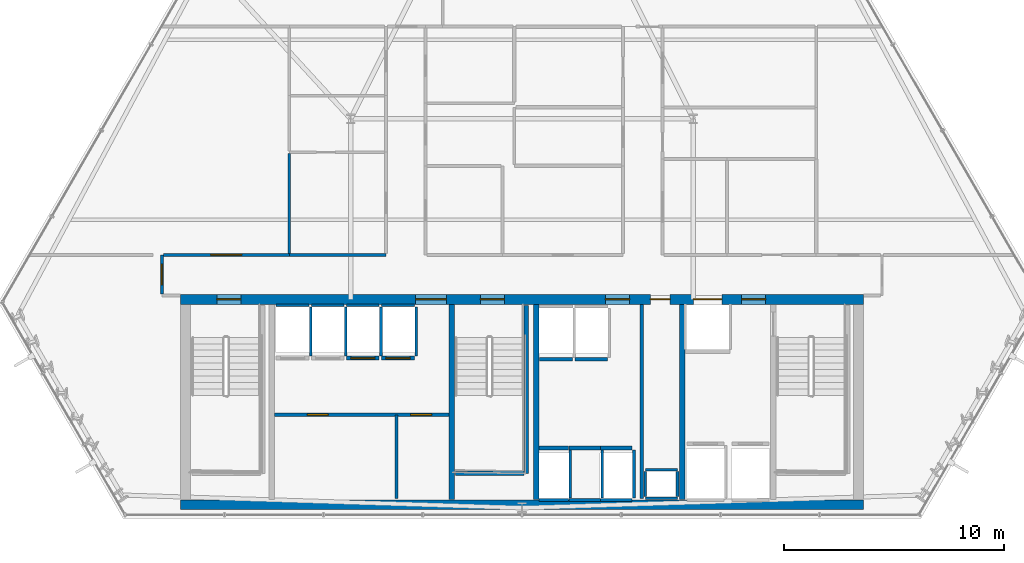
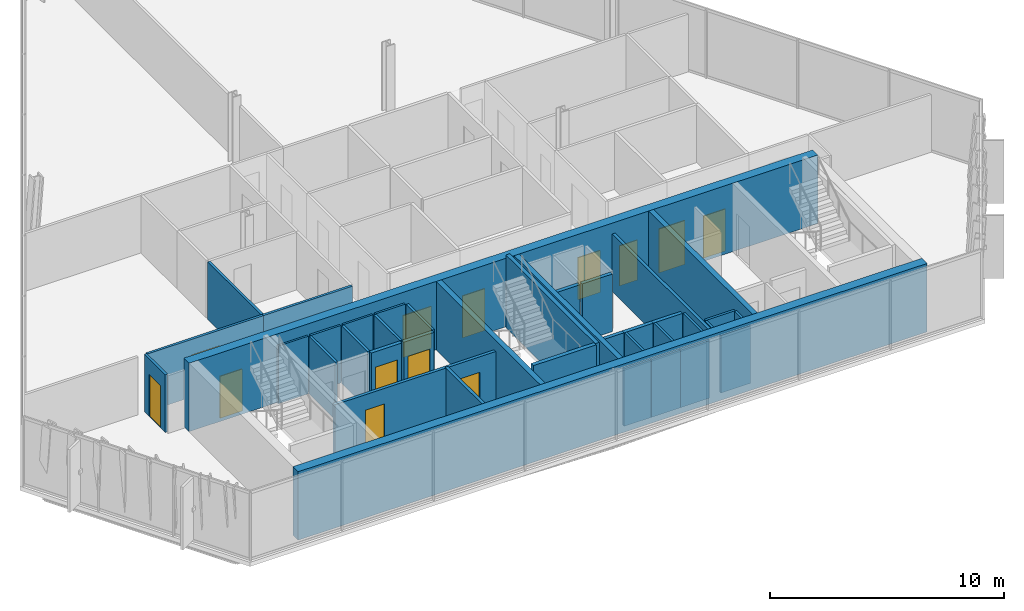
# One storey, part 26 of 32: 39 walls, 13 doors, 13 openings.
"""IFC4 building model written with IfcOpenShell, lengths in metres."""

from ifc_helpers import new_model, si_unit, direction, frame, frame_2d, origin, place, context, subcontext, project, spatial, rectangle, extrude, material, layer, layer_set, type_object, element, fill, save


model = new_model("IFC4")

# Units and contexts
model_context = context("Model", 3, precision=1e-05, world=origin(), true_north=direction((0.0, 1.0)))
body_context = subcontext(model_context, "Body", "Model", "MODEL_VIEW")
ifc_project = project(units=[si_unit("LENGTHUNIT", "METRE"), si_unit("AREAUNIT", "SQUARE_METRE"), si_unit("VOLUMEUNIT", "CUBIC_METRE"), si_unit("PLANEANGLEUNIT", "RADIAN"), si_unit("MASSUNIT", "GRAM", prefix="KILO")], contexts=[model_context])

# Site, building, storey
site_placement = place(None, origin())
site = spatial("IfcSite", under=ifc_project, at=site_placement, CompositionType="ELEMENT")
building_placement = place(site_placement, origin())
building = spatial("IfcBuilding", under=site, at=building_placement, Name="Ndaravel Arena Tower", CompositionType="ELEMENT")
storey_placement = place(building_placement, frame((0.0, 0.0, 157.39990234375)))
storey = spatial("IfcBuildingStorey", under=building, at=storey_placement, Name="L37", CompositionType="ELEMENT", Elevation=157.39990234375)

# Wall
ifc_material_1 = material(Name="Gypsum", Category="gypsum")
ifc_layer_1 = layer(ifc_material_1, 0.14990234375)
ifc_layer_set_1 = layer_set([ifc_layer_1], Name="Gypsum")
wall_type_1 = type_object("IfcWallType", Name="WALL-COMP-150", PredefinedType="PARTITIONING", material=ifc_layer_set_1)
wall_1_placement = place(storey_placement, frame((47.449951171875, 5.89990234375, 0.0), z_axis=(0.0, 0.0, 1.0), x_axis=(0.0, 1.0, 0.0)))
element("IfcWall", 1, at=wall_1_placement, inside=storey, type_object=wall_type_1, Name="L37 Core Riser Bay Partition", PredefinedType="PARTITIONING", context=body_context, shape_type="SweptSolid", body=[
    extrude(rectangle(XDim=8.85009765625, YDim=0.14990234375, at=frame_2d((4.425048828125, 0.0))), origin(), (0.0, 0.0, 1.0), 3.010498046875),
])

# Wall, openings, doors
wall_2_placement = place(storey_placement, frame((30.719970703125, 9.719970703125, 0.0), z_axis=(0.0, 0.0, 1.0), x_axis=(1.0, 0.0, 0.0)))
wall_2 = element("IfcWall", 2, at=wall_2_placement, inside=storey, type_object=wall_type_1, Name="L37 Reclaimed Shaft Partition", PredefinedType="PARTITIONING", context=body_context, shape_type="SweptSolid", body=[
    extrude(rectangle(XDim=7.9599609375, YDim=0.14990234375, at=frame_2d((3.97998046875, 0.0))), origin(), (0.0, 0.0, 1.0), 3.010498046875),
])
opening_1_placement = place(wall_2_placement, frame((1.5, 0.0, 0.0)))
opening_1 = element("IfcOpeningElement", 3, at=opening_1_placement, cuts=wall_2, Name="Opening FD-03", PredefinedType="OPENING", context=body_context, shape_type="SweptSolid", body=[
    extrude(rectangle(XDim=0.949951171875, YDim=2.199951171875, at=frame_2d((0.47509765625, 1.10009765625))), frame((0.0, 0.074951171875, 0.0), z_axis=(0.0, -1.0, 0.0), x_axis=(1.0, 0.0, 0.0)), (0.0, 0.0, 1.0), 0.14990234375),
])
opening_2_placement = place(wall_2_placement, frame((6.2099609375, 0.0, 0.0)))
opening_2 = element("IfcOpeningElement", 4, at=opening_2_placement, cuts=wall_2, Name="Opening FD-03", PredefinedType="OPENING", context=body_context, shape_type="SweptSolid", body=[
    extrude(rectangle(XDim=0.949951171875, YDim=2.199951171875, at=frame_2d((0.47509765625, 1.10009765625))), frame((0.0, 0.074951171875, 0.0), z_axis=(0.0, -1.0, 0.0), x_axis=(1.0, 0.0, 0.0)), (0.0, 0.0, 1.0), 0.14990234375),
])
ifc_material_2 = material(Name="Steel S355", Category="steel")
door_type_1 = type_object("IfcDoorType", Name="DT-11-CORE-950", OperationType="SINGLE_SWING_LEFT", PredefinedType="DOOR", material=ifc_material_2)
door_1_placement = place(opening_1_placement, origin())
door_1 = element("IfcDoor", 5, at=door_1_placement, inside=storey, type_object=door_type_1, Name="L37 ICT Server Room Door", OperationType="SINGLE_SWING_LEFT", OverallHeight=2.199951171875, OverallWidth=0.949951171875, PredefinedType="DOOR", context=body_context, shape_type="SweptSolid", body=[
    extrude(rectangle(XDim=0.949951171875, YDim=2.199951171875, at=frame_2d((0.47509765625, 1.10009765625))), frame((0.0, 0.02490234375, 0.0), z_axis=(0.0, -1.0, 0.0), x_axis=(1.0, 0.0, 0.0)), (0.0, 0.0, 1.0), 0.050048828125),
])
fill(opening_1, door_1)
door_2_placement = place(opening_2_placement, origin())
door_2 = element("IfcDoor", 6, at=door_2_placement, inside=storey, type_object=door_type_1, Name="L37 Core Archive Room Door", OperationType="SINGLE_SWING_RIGHT", OverallHeight=2.199951171875, OverallWidth=0.949951171875, PredefinedType="DOOR", context=body_context, shape_type="SweptSolid", body=[
    extrude(rectangle(XDim=0.949951171875, YDim=2.199951171875, at=frame_2d((0.47509765625, 1.10009765625))), frame((0.0, 0.02490234375, 0.0), z_axis=(0.0, -1.0, 0.0), x_axis=(1.0, 0.0, 0.0)), (0.0, 0.0, 1.0), 0.050048828125),
])
fill(opening_2, door_2)

# Walls
wall_3_placement = place(storey_placement, frame((36.280029296875, 5.89990234375, 0.0), z_axis=(0.0, 0.0, 1.0), x_axis=(0.0, 1.0, 0.0)))
element("IfcWall", 7, at=wall_3_placement, inside=storey, type_object=wall_type_1, Name="L37 Reclaimed Bay Divider", PredefinedType="PARTITIONING", context=body_context, shape_type="SweptSolid", body=[
    extrude(rectangle(XDim=3.820068359375, YDim=0.14990234375, at=frame_2d((1.91015625, 0.0))), origin(), (0.0, 0.0, 1.0), 3.010498046875),
])
ifc_material_3 = material(Name="Concrete C60/75", Category="concrete")
ifc_layer_2 = layer(ifc_material_3, 0.25)
ifc_layer_set_2 = layer_set([ifc_layer_2], Name="Concrete C60/75")
wall_type_2 = type_object("IfcWallType", Name="WALL-CORE-250", PredefinedType="SOLIDWALL", material=ifc_layer_set_2)
for number, where, z_axis, x_axis, name in (
    (8, (38.800048828125, 5.85009765625, 0.0), (0.0, 0.0, 1.0), (0.0, 1.0, 0.0), "L37 Core Web Shear Wall 2"),
    (9, (42.64990234375, 5.85009765625, 0.0), (0.0, 0.0, 1.0), (0.0, 1.0, 0.0), "L37 Core Web Shear Wall 3"),
    (10, (49.300048828125, 5.85009765625, 0.0), (0.0, 0.0, 1.0), (0.0, 1.0, 0.0), "L37 Core Web Shear Wall 4"),
):
    element("IfcWall", number, at=place(storey_placement, frame(where, z_axis=z_axis, x_axis=x_axis)), inside=storey, type_object=wall_type_2, Name=name, PredefinedType="SOLIDWALL", context=body_context, shape_type="SweptSolid", body=[
        extrude(rectangle(XDim=8.89990234375, YDim=0.25, at=frame_2d((4.449951171875, 0.0))), origin(), (0.0, 0.0, 1.0), 3.580078125),
    ])

# Wall, openings, doors
ifc_material_4 = material(Name="Concrete C60/75", Category="concrete")
ifc_layer_3 = layer(ifc_material_4, 0.449951171875)
ifc_layer_set_3 = layer_set([ifc_layer_3], Name="Concrete C60/75")
wall_type_3 = type_object("IfcWallType", Name="WALL-CORE-450", PredefinedType="SOLIDWALL", material=ifc_layer_set_3)
wall_4_placement = place(storey_placement, frame((26.449951171875, 14.97509765625, 0.0), z_axis=(0.0, 0.0, 1.0), x_axis=(1.0, 0.0, 0.0)))
wall_4 = element("IfcWall", 11, at=wall_4_placement, inside=storey, type_object=wall_type_3, Name="L37 Core North Shear Wall", PredefinedType="SOLIDWALL", context=body_context, shape_type="SweptSolid", body=[
    extrude(rectangle(XDim=31.10009765625, YDim=0.449951171875, at=frame_2d((15.550048828125, 0.0))), origin(), (0.0, 0.0, 1.0), 3.580078125),
])
opening_3_placement = place(wall_4_placement, frame((1.64990234375, 0.0, 0.0)))
opening_3 = element("IfcOpeningElement", 12, at=opening_3_placement, cuts=wall_4, Name="Opening FD-01", PredefinedType="OPENING", context=body_context, shape_type="SweptSolid", body=[
    extrude(rectangle(XDim=1.10009765625, YDim=2.199951171875, at=frame_2d((0.550048828125, 1.10009765625))), frame((0.0, 0.22509765625, 0.0), z_axis=(0.0, -1.0, 0.0), x_axis=(1.0, 0.0, 0.0)), (0.0, 0.0, 1.0), 0.449951171875),
])
opening_4_placement = place(wall_4_placement, frame((13.64990234375, 0.0, 0.0)))
opening_4 = element("IfcOpeningElement", 13, at=opening_4_placement, cuts=wall_4, Name="Opening FD-01", PredefinedType="OPENING", context=body_context, shape_type="SweptSolid", body=[
    extrude(rectangle(XDim=1.10009765625, YDim=2.199951171875, at=frame_2d((0.550048828125, 1.10009765625))), frame((0.0, 0.22509765625, 0.0), z_axis=(0.0, -1.0, 0.0), x_axis=(1.0, 0.0, 0.0)), (0.0, 0.0, 1.0), 0.449951171875),
])
opening_5_placement = place(wall_4_placement, frame((25.550048828125, 0.0, 0.0)))
opening_5 = element("IfcOpeningElement", 14, at=opening_5_placement, cuts=wall_4, Name="Opening FD-01", PredefinedType="OPENING", context=body_context, shape_type="SweptSolid", body=[
    extrude(rectangle(XDim=1.10009765625, YDim=2.199951171875, at=frame_2d((0.550048828125, 1.10009765625))), frame((0.0, 0.22509765625, 0.0), z_axis=(0.0, -1.0, 0.0), x_axis=(1.0, 0.0, 0.0)), (0.0, 0.0, 1.0), 0.449951171875),
])
opening_6_placement = place(wall_4_placement, frame((10.699951171875, 0.0, 0.0)))
opening_6 = element("IfcOpeningElement", 15, at=opening_6_placement, cuts=wall_4, Name="Opening ID-02", PredefinedType="OPENING", context=body_context, shape_type="SweptSolid", body=[
    extrude(rectangle(XDim=1.39990234375, YDim=2.199951171875, at=frame_2d((0.699951171875, 1.10009765625))), frame((0.0, 0.22509765625, 0.0), z_axis=(0.0, -1.0, 0.0), x_axis=(1.0, 0.0, 0.0)), (0.0, 0.0, 1.0), 0.449951171875),
])
opening_7_placement = place(wall_4_placement, frame((19.35009765625, 0.0, 0.0)))
opening_7 = element("IfcOpeningElement", 16, at=opening_7_placement, cuts=wall_4, Name="Opening FD-01", PredefinedType="OPENING", context=body_context, shape_type="SweptSolid", body=[
    extrude(rectangle(XDim=1.10009765625, YDim=2.199951171875, at=frame_2d((0.550048828125, 1.10009765625))), frame((0.0, 0.22509765625, 0.0), z_axis=(0.0, -1.0, 0.0), x_axis=(1.0, 0.0, 0.0)), (0.0, 0.0, 1.0), 0.449951171875),
])
opening_8_placement = place(wall_4_placement, frame((21.39990234375, 0.0, 0.0)))
opening_8 = element("IfcOpeningElement", 17, at=opening_8_placement, cuts=wall_4, Name="Opening RD-01", PredefinedType="OPENING", context=body_context, shape_type="SweptSolid", body=[
    extrude(rectangle(XDim=0.89990234375, YDim=2.10009765625, at=frame_2d((0.449951171875, 1.050048828125))), frame((0.0, 0.22509765625, 0.0), z_axis=(0.0, -1.0, 0.0), x_axis=(1.0, 0.0, 0.0)), (0.0, 0.0, 1.0), 0.449951171875),
])
opening_9_placement = place(wall_4_placement, frame((23.35009765625, 0.0, 0.0)))
opening_9 = element("IfcOpeningElement", 18, at=opening_9_placement, cuts=wall_4, Name="Opening LD-02", PredefinedType="OPENING", context=body_context, shape_type="SweptSolid", body=[
    extrude(rectangle(XDim=1.300048828125, YDim=2.300048828125, at=frame_2d((0.64990234375, 1.14990234375))), frame((0.0, 0.22509765625, 0.0), z_axis=(0.0, -1.0, 0.0), x_axis=(1.0, 0.0, 0.0)), (0.0, 0.0, 1.0), 0.449951171875),
])
ifc_material_5 = material(Name="Steel S355", Category="steel")
door_type_2 = type_object("IfcDoorType", Name="DT-01-STAIR-1100", OperationType="SINGLE_SWING_LEFT", PredefinedType="DOOR", material=ifc_material_5)
door_3_placement = place(opening_3_placement, origin())
door_3 = element("IfcDoor", 19, at=door_3_placement, inside=storey, type_object=door_type_2, Name="L37 Exit Stair ST-1 Door", OperationType="SINGLE_SWING_RIGHT", OverallHeight=2.199951171875, OverallWidth=1.10009765625, PredefinedType="DOOR", context=body_context, shape_type="SweptSolid", body=[
    extrude(rectangle(XDim=1.10009765625, YDim=2.199951171875, at=frame_2d((0.550048828125, 1.10009765625))), frame((0.0, 0.02490234375, 0.0), z_axis=(0.0, -1.0, 0.0), x_axis=(1.0, 0.0, 0.0)), (0.0, 0.0, 1.0), 0.050048828125),
])
fill(opening_3, door_3)
door_4_placement = place(opening_4_placement, origin())
door_4 = element("IfcDoor", 20, at=door_4_placement, inside=storey, type_object=door_type_2, Name="L37 Exit Stair ST-2 Door", OperationType="SINGLE_SWING_LEFT", OverallHeight=2.199951171875, OverallWidth=1.10009765625, PredefinedType="DOOR", context=body_context, shape_type="SweptSolid", body=[
    extrude(rectangle(XDim=1.10009765625, YDim=2.199951171875, at=frame_2d((0.550048828125, 1.10009765625))), frame((0.0, 0.02490234375, 0.0), z_axis=(0.0, -1.0, 0.0), x_axis=(1.0, 0.0, 0.0)), (0.0, 0.0, 1.0), 0.050048828125),
])
fill(opening_4, door_4)
door_5_placement = place(opening_5_placement, origin())
door_5 = element("IfcDoor", 21, at=door_5_placement, inside=storey, type_object=door_type_2, Name="L37 Firefighting Lift Lobby Door", OperationType="SINGLE_SWING_RIGHT", OverallHeight=2.199951171875, OverallWidth=1.10009765625, PredefinedType="DOOR", context=body_context, shape_type="SweptSolid", body=[
    extrude(rectangle(XDim=1.10009765625, YDim=2.199951171875, at=frame_2d((0.550048828125, 1.10009765625))), frame((0.0, 0.02490234375, 0.0), z_axis=(0.0, -1.0, 0.0), x_axis=(1.0, 0.0, 0.0)), (0.0, 0.0, 1.0), 0.050048828125),
])
fill(opening_5, door_5)
door_6_placement = place(opening_7_placement, origin())
door_6 = element("IfcDoor", 22, at=door_6_placement, inside=storey, type_object=door_type_2, Name="L37 Express Lift Lobby Entry Door", OperationType="SINGLE_SWING_LEFT", OverallHeight=2.199951171875, OverallWidth=1.10009765625, PredefinedType="DOOR", context=body_context, shape_type="SweptSolid", body=[
    extrude(rectangle(XDim=1.10009765625, YDim=2.199951171875, at=frame_2d((0.550048828125, 1.10009765625))), frame((0.0, 0.02490234375, 0.0), z_axis=(0.0, -1.0, 0.0), x_axis=(1.0, 0.0, 0.0)), (0.0, 0.0, 1.0), 0.050048828125),
])
fill(opening_7, door_6)
ifc_material_6 = material(Name="Timber", Category="wood")
door_type_3 = type_object("IfcDoorType", Name="DT-04-SUITE-1400", OperationType="DOUBLE_DOOR_SINGLE_SWING", PredefinedType="DOOR", material=ifc_material_6)
door_7_placement = place(opening_6_placement, origin())
door_7 = element("IfcDoor", 23, at=door_7_placement, inside=storey, type_object=door_type_3, Name="L37 West Lift Lobby Entry Door", OperationType="DOUBLE_DOOR_SINGLE_SWING", OverallHeight=2.199951171875, OverallWidth=1.39990234375, PredefinedType="DOOR", context=body_context, shape_type="SweptSolid", body=[
    extrude(rectangle(XDim=1.39990234375, YDim=2.199951171875, at=frame_2d((0.699951171875, 1.10009765625))), frame((0.0, 0.02490234375, 0.0), z_axis=(0.0, -1.0, 0.0), x_axis=(1.0, 0.0, 0.0)), (0.0, 0.0, 1.0), 0.050048828125),
])
fill(opening_6, door_7)
ifc_material_7 = material(Name="Steel S355", Category="steel")
door_type_4 = type_object("IfcDoorType", Name="DT-07-SVLIFT-1300", OperationType="DOUBLE_DOOR_SLIDING", PredefinedType="DOOR", material=ifc_material_7)
door_8_placement = place(opening_9_placement, origin())
door_8 = element("IfcDoor", 24, at=door_8_placement, inside=storey, type_object=door_type_4, Name="L37 Lift SVL-1 Sliding Landing Door", OperationType="DOUBLE_DOOR_SLIDING", OverallHeight=2.300048828125, OverallWidth=1.300048828125, PredefinedType="DOOR", context=body_context, shape_type="SweptSolid", body=[
    extrude(rectangle(XDim=1.300048828125, YDim=2.300048828125, at=frame_2d((0.64990234375, 1.14990234375))), frame((0.0, 0.02490234375, 0.0), z_axis=(0.0, -1.0, 0.0), x_axis=(1.0, 0.0, 0.0)), (0.0, 0.0, 1.0), 0.050048828125),
])
fill(opening_9, door_8)
ifc_material_8 = material(Name="Steel S355", Category="steel")
door_type_5 = type_object("IfcDoorType", Name="DT-08-RISER-900", OperationType="SINGLE_SWING_LEFT", PredefinedType="DOOR", material=ifc_material_8)
door_9_placement = place(opening_8_placement, origin())
door_9 = element("IfcDoor", 25, at=door_9_placement, inside=storey, type_object=door_type_5, Name="L37 Core Service Riser North Door", OperationType="SINGLE_SWING_LEFT", OverallHeight=2.10009765625, OverallWidth=0.89990234375, PredefinedType="DOOR", context=body_context, shape_type="SweptSolid", body=[
    extrude(rectangle(XDim=0.89990234375, YDim=2.10009765625, at=frame_2d((0.449951171875, 1.050048828125))), frame((0.0, 0.02490234375, 0.0), z_axis=(0.0, -1.0, 0.0), x_axis=(1.0, 0.0, 0.0)), (0.0, 0.0, 1.0), 0.050048828125),
])
fill(opening_8, door_9)

# Wall
wall_5_placement = place(storey_placement, frame((26.449951171875, 5.625, 0.0), z_axis=(0.0, 0.0, 1.0), x_axis=(1.0, 0.0, 0.0)))
element("IfcWall", 26, at=wall_5_placement, inside=storey, type_object=wall_type_3, Name="L37 Core South Shear Wall", PredefinedType="SOLIDWALL", context=body_context, shape_type="SweptSolid", body=[
    extrude(rectangle(XDim=31.10009765625, YDim=0.449951171875, at=frame_2d((15.550048828125, 0.0))), origin(), (0.0, 0.0, 1.0), 3.580078125),
])

# Wall, opening, door
ifc_material_9 = material(Name="Gypsum", Category="gypsum")
ifc_layer_4 = layer(ifc_material_9, 0.125)
ifc_layer_set_4 = layer_set([ifc_layer_4], Name="Gypsum")
wall_type_4 = type_object("IfcWallType", Name="WALL-PART-125", PredefinedType="PARTITIONING", material=ifc_layer_set_4)
wall_6_placement = place(storey_placement, frame((25.60009765625, 15.215087890625, 0.0), z_axis=(0.0, 0.0, 1.0), x_axis=(0.0, 1.0, 0.0)))
wall_6 = element("IfcWall", 27, at=wall_6_placement, inside=storey, type_object=wall_type_4, Name="L37 Interior Partition 004", PredefinedType="PARTITIONING", context=body_context, shape_type="SweptSolid", body=[
    extrude(rectangle(XDim=1.784912109375, YDim=0.125, at=frame_2d((0.892578125, 0.0))), origin(), (0.0, 0.0, 1.0), 3.010498046875),
])
opening_10_placement = place(wall_6_placement, frame((0.41748046875, 0.0, 0.0)))
opening_10 = element("IfcOpeningElement", 28, at=opening_10_placement, cuts=wall_6, Name="Opening ID-01", PredefinedType="OPENING", context=body_context, shape_type="SweptSolid", body=[
    extrude(rectangle(XDim=0.949951171875, YDim=2.199951171875, at=frame_2d((0.47509765625, 1.10009765625))), frame((0.0, 0.0625, 0.0), z_axis=(0.0, -1.0, 0.0), x_axis=(1.0, 0.0, 0.0)), (0.0, 0.0, 1.0), 0.125),
])
ifc_material_10 = material(Name="Timber", Category="wood")
door_type_6 = type_object("IfcDoorType", Name="DT-03-OFFICE-950", OperationType="SINGLE_SWING_LEFT", PredefinedType="DOOR", material=ifc_material_10)
door_10_placement = place(opening_10_placement, origin())
door_10 = element("IfcDoor", 29, at=door_10_placement, inside=storey, type_object=door_type_6, Name="L37 Executive Boardroom Door", OperationType="SINGLE_SWING_RIGHT", OverallHeight=2.199951171875, OverallWidth=0.949951171875, PredefinedType="DOOR", context=body_context, shape_type="SweptSolid", body=[
    extrude(rectangle(XDim=0.949951171875, YDim=2.199951171875, at=frame_2d((0.47509765625, 1.10009765625))), frame((0.0, 0.02490234375, 0.0), z_axis=(0.0, -1.0, 0.0), x_axis=(1.0, 0.0, 0.0)), (0.0, 0.0, 1.0), 0.050048828125),
])
fill(opening_10, door_10)

wall_7_placement = place(storey_placement, frame((25.6650390625, 17.0, 0.0), z_axis=(0.0, 0.0, 1.0), x_axis=(1.0, 0.0, 0.0)))
wall_7 = element("IfcWall", 30, at=wall_7_placement, inside=storey, type_object=wall_type_4, Name="L37 Interior Partition 005", PredefinedType="PARTITIONING", context=body_context, shape_type="SweptSolid", body=[
    extrude(rectangle(XDim=5.73486328125, YDim=0.125, at=frame_2d((2.867431640625, 0.0))), origin(), (0.0, 0.0, 1.0), 3.010498046875),
])
opening_11_placement = place(wall_7_placement, frame((2.16748046875, 0.0, 0.0)))
opening_11 = element("IfcOpeningElement", 31, at=opening_11_placement, cuts=wall_7, Name="Opening ID-02", PredefinedType="OPENING", context=body_context, shape_type="SweptSolid", body=[
    extrude(rectangle(XDim=1.39990234375, YDim=2.199951171875, at=frame_2d((0.699951171875, 1.10009765625))), frame((0.0, 0.0625, 0.0), z_axis=(0.0, -1.0, 0.0), x_axis=(1.0, 0.0, 0.0)), (0.0, 0.0, 1.0), 0.125),
])
door_11_placement = place(opening_11_placement, origin())
door_11 = element("IfcDoor", 32, at=door_11_placement, inside=storey, type_object=door_type_3, Name="L37 Tenant Reception Suite 3 Door", OperationType="SINGLE_SWING_RIGHT", OverallHeight=2.199951171875, OverallWidth=1.39990234375, PredefinedType="DOOR", context=body_context, shape_type="SweptSolid", body=[
    extrude(rectangle(XDim=1.39990234375, YDim=2.199951171875, at=frame_2d((0.699951171875, 1.10009765625))), frame((0.0, 0.02490234375, 0.0), z_axis=(0.0, -1.0, 0.0), x_axis=(1.0, 0.0, 0.0)), (0.0, 0.0, 1.0), 0.050048828125),
])
fill(opening_11, door_11)

# Walls
wall_8_placement = place(storey_placement, frame((31.39990234375, 17.0, 0.0), z_axis=(0.0, 0.0, 1.0), x_axis=(1.0, 0.0, 0.0)))
element("IfcWall", 33, at=wall_8_placement, inside=storey, type_object=wall_type_4, Name="L37 Interior Partition 006", PredefinedType="PARTITIONING", context=body_context, shape_type="SweptSolid", body=[
    extrude(rectangle(XDim=4.400146484375, YDim=0.125, at=frame_2d((2.2001953125, 0.0))), origin(), (0.0, 0.0, 1.0), 3.010498046875),
])
wall_9_placement = place(storey_placement, frame((31.39990234375, 17.06494140625, 0.0), z_axis=(0.0, 0.0, 1.0), x_axis=(0.0, 1.0, 0.0)))
element("IfcWall", 34, at=wall_9_placement, inside=storey, type_object=wall_type_4, Name="L37 Interior Partition 036", PredefinedType="PARTITIONING", context=body_context, shape_type="SweptSolid", body=[
    extrude(rectangle(XDim=4.550048828125, YDim=0.125, at=frame_2d((2.27490234375, 0.0))), origin(), (0.0, 0.0, 1.0), 3.010498046875),
])
ifc_material_11 = material(Name="Concrete C40/50", Category="concrete")
ifc_layer_5 = layer(ifc_material_11, 0.1201171875)
ifc_layer_set_5 = layer_set([ifc_layer_5], Name="Concrete C40/50")
wall_type_5 = type_object("IfcWallType", Name="WALL-SHAFT-120", PredefinedType="SOLIDWALL", material=ifc_layer_set_5)
for number, where, z_axis, x_axis, name in (
    (35, (47.6201171875, 5.919921875, 0.0), (0.0, 0.0, 1.0), (1.0, 0.0, 0.0), "L37 MEP Riser Shaft S Wall"),
    (36, (47.6201171875, 7.219970703125, 0.0), (0.0, 0.0, 1.0), (1.0, 0.0, 0.0), "L37 MEP Riser Shaft N Wall"),
):
    element("IfcWall", number, at=place(storey_placement, frame(where, z_axis=z_axis, x_axis=x_axis)), inside=storey, type_object=wall_type_5, Name=name, PredefinedType="SOLIDWALL", context=body_context, shape_type="SweptSolid", body=[
        extrude(rectangle(XDim=1.4599609375, YDim=0.1201171875, at=frame_2d((0.72998046875, 0.0))), origin(), (0.0, 0.0, 1.0), 3.010498046875),
    ])
for number, where, z_axis, x_axis, name in (
    (37, (47.6201171875, 6.0, 0.0), (0.0, 0.0, 1.0), (0.0, 1.0, 0.0), "L37 MEP Riser Shaft W Wall"),
    (38, (49.080078125, 6.0, 0.0), (0.0, 0.0, 1.0), (0.0, 1.0, 0.0), "L37 MEP Riser Shaft E Wall"),
):
    element("IfcWall", number, at=place(storey_placement, frame(where, z_axis=z_axis, x_axis=x_axis)), inside=storey, type_object=wall_type_5, Name=name, PredefinedType="SOLIDWALL", context=body_context, shape_type="SweptSolid", body=[
        extrude(rectangle(XDim=1.139892578125, YDim=0.1201171875, at=frame_2d((0.56982421875, 0.0))), origin(), (0.0, 0.0, 1.0), 3.010498046875),
    ])
wall_10_placement = place(storey_placement, frame((30.804931640625, 14.7099609375, 0.0), z_axis=(0.0, 0.0, 1.0), x_axis=(1.0, 0.0, 0.0)))
element("IfcWall", 39, at=wall_10_placement, inside=storey, type_object=wall_type_5, Name="L37 PL-M1 Shaft Rear Wall", PredefinedType="SOLIDWALL", context=body_context, shape_type="SweptSolid", body=[
    extrude(rectangle(XDim=1.489990234375, YDim=0.1201171875, at=frame_2d((0.7451171875, 0.0))), origin(), (0.0, 0.0, 1.0), 3.010498046875),
])
wall_11_placement = place(storey_placement, frame((32.375, 12.389892578125, 0.0), z_axis=(0.0, 0.0, 1.0), x_axis=(0.0, 1.0, 0.0)))
element("IfcWall", 40, at=wall_11_placement, inside=storey, type_object=wall_type_5, Name="L37 PL-M1 Shaft Side R Wall", PredefinedType="SOLIDWALL", context=body_context, shape_type="SweptSolid", body=[
    extrude(rectangle(XDim=2.230224609375, YDim=0.1201171875, at=frame_2d((1.115234375, 0.0))), origin(), (0.0, 0.0, 1.0), 3.010498046875),
])
wall_12_placement = place(storey_placement, frame((32.405029296875, 14.7099609375, 0.0), z_axis=(0.0, 0.0, 1.0), x_axis=(1.0, 0.0, 0.0)))
element("IfcWall", 41, at=wall_12_placement, inside=storey, type_object=wall_type_5, Name="L37 PL-M2 Shaft Rear Wall", PredefinedType="SOLIDWALL", context=body_context, shape_type="SweptSolid", body=[
    extrude(rectangle(XDim=1.489990234375, YDim=0.1201171875, at=frame_2d((0.7451171875, 0.0))), origin(), (0.0, 0.0, 1.0), 3.010498046875),
])
wall_13_placement = place(storey_placement, frame((33.97509765625, 12.389892578125, 0.0), z_axis=(0.0, 0.0, 1.0), x_axis=(0.0, 1.0, 0.0)))
element("IfcWall", 42, at=wall_13_placement, inside=storey, type_object=wall_type_5, Name="L37 PL-M2 Shaft Side R Wall", PredefinedType="SOLIDWALL", context=body_context, shape_type="SweptSolid", body=[
    extrude(rectangle(XDim=2.230224609375, YDim=0.1201171875, at=frame_2d((1.115234375, 0.0))), origin(), (0.0, 0.0, 1.0), 3.010498046875),
])
wall_14_placement = place(storey_placement, frame((34.0048828125, 14.7099609375, 0.0), z_axis=(0.0, 0.0, 1.0), x_axis=(1.0, 0.0, 0.0)))
element("IfcWall", 43, at=wall_14_placement, inside=storey, type_object=wall_type_5, Name="L37 PL-M3 Shaft Rear Wall", PredefinedType="SOLIDWALL", context=body_context, shape_type="SweptSolid", body=[
    extrude(rectangle(XDim=1.490234375, YDim=0.1201171875, at=frame_2d((0.7451171875, 0.0))), origin(), (0.0, 0.0, 1.0), 3.010498046875),
])
wall_15_placement = place(storey_placement, frame((35.574951171875, 12.389892578125, 0.0), z_axis=(0.0, 0.0, 1.0), x_axis=(0.0, 1.0, 0.0)))
element("IfcWall", 44, at=wall_15_placement, inside=storey, type_object=wall_type_5, Name="L37 PL-M3 Shaft Side R Wall", PredefinedType="SOLIDWALL", context=body_context, shape_type="SweptSolid", body=[
    extrude(rectangle(XDim=2.230224609375, YDim=0.1201171875, at=frame_2d((1.115234375, 0.0))), origin(), (0.0, 0.0, 1.0), 3.010498046875),
])
wall_16_placement = place(storey_placement, frame((35.60498046875, 14.7099609375, 0.0), z_axis=(0.0, 0.0, 1.0), x_axis=(1.0, 0.0, 0.0)))
element("IfcWall", 45, at=wall_16_placement, inside=storey, type_object=wall_type_5, Name="L37 PL-M4 Shaft Rear Wall", PredefinedType="SOLIDWALL", context=body_context, shape_type="SweptSolid", body=[
    extrude(rectangle(XDim=1.489990234375, YDim=0.1201171875, at=frame_2d((0.7451171875, 0.0))), origin(), (0.0, 0.0, 1.0), 3.010498046875),
])
wall_17_placement = place(storey_placement, frame((37.175048828125, 12.389892578125, 0.0), z_axis=(0.0, 0.0, 1.0), x_axis=(0.0, 1.0, 0.0)))
element("IfcWall", 46, at=wall_17_placement, inside=storey, type_object=wall_type_5, Name="L37 PL-M4 Shaft Side R Wall", PredefinedType="SOLIDWALL", context=body_context, shape_type="SweptSolid", body=[
    extrude(rectangle(XDim=2.230224609375, YDim=0.1201171875, at=frame_2d((1.115234375, 0.0))), origin(), (0.0, 0.0, 1.0), 3.010498046875),
])
wall_18_placement = place(storey_placement, frame((42.780029296875, 5.840087890625, 0.0), z_axis=(0.0, 0.0, 1.0), x_axis=(1.0, 0.0, 0.0)))
element("IfcWall", 47, at=wall_18_placement, inside=storey, type_object=wall_type_5, Name="L37 PL-H1 Shaft Rear Wall", PredefinedType="SOLIDWALL", context=body_context, shape_type="SweptSolid", body=[
    extrude(rectangle(XDim=1.340087890625, YDim=0.1201171875, at=frame_2d((0.669921875, 0.0))), origin(), (0.0, 0.0, 1.0), 3.010498046875),
])
wall_19_placement = place(storey_placement, frame((44.199951171875, 5.929931640625, 0.0), z_axis=(0.0, 0.0, 1.0), x_axis=(0.0, 1.0, 0.0)))
element("IfcWall", 48, at=wall_19_placement, inside=storey, type_object=wall_type_5, Name="L37 PL-H1 Shaft Side R Wall", PredefinedType="SOLIDWALL", context=body_context, shape_type="SweptSolid", body=[
    extrude(rectangle(XDim=2.18017578125, YDim=0.1201171875, at=frame_2d((1.090087890625, 0.0))), origin(), (0.0, 0.0, 1.0), 3.010498046875),
])
wall_20_placement = place(storey_placement, frame((44.1298828125, 5.840087890625, 0.0), z_axis=(0.0, 0.0, 1.0), x_axis=(1.0, 0.0, 0.0)))
element("IfcWall", 49, at=wall_20_placement, inside=storey, type_object=wall_type_5, Name="L37 PL-H2 Shaft Rear Wall", PredefinedType="SOLIDWALL", context=body_context, shape_type="SweptSolid", body=[
    extrude(rectangle(XDim=1.440185546875, YDim=0.1201171875, at=frame_2d((0.72021484375, 0.0))), origin(), (0.0, 0.0, 1.0), 3.010498046875),
])
wall_21_placement = place(storey_placement, frame((45.64990234375, 5.929931640625, 0.0), z_axis=(0.0, 0.0, 1.0), x_axis=(0.0, 1.0, 0.0)))
element("IfcWall", 50, at=wall_21_placement, inside=storey, type_object=wall_type_5, Name="L37 PL-H2 Shaft Side R Wall", PredefinedType="SOLIDWALL", context=body_context, shape_type="SweptSolid", body=[
    extrude(rectangle(XDim=2.18017578125, YDim=0.1201171875, at=frame_2d((1.090087890625, 0.0))), origin(), (0.0, 0.0, 1.0), 3.010498046875),
])
wall_22_placement = place(storey_placement, frame((45.580078125, 5.840087890625, 0.0), z_axis=(0.0, 0.0, 1.0), x_axis=(1.0, 0.0, 0.0)))
element("IfcWall", 51, at=wall_22_placement, inside=storey, type_object=wall_type_5, Name="L37 PL-H3 Shaft Rear Wall", PredefinedType="SOLIDWALL", context=body_context, shape_type="SweptSolid", body=[
    extrude(rectangle(XDim=1.43994140625, YDim=0.1201171875, at=frame_2d((0.719970703125, 0.0))), origin(), (0.0, 0.0, 1.0), 3.010498046875),
])
wall_23_placement = place(storey_placement, frame((47.10009765625, 5.929931640625, 0.0), z_axis=(0.0, 0.0, 1.0), x_axis=(0.0, 1.0, 0.0)))
element("IfcWall", 52, at=wall_23_placement, inside=storey, type_object=wall_type_5, Name="L37 PL-H3 Shaft Side R Wall", PredefinedType="SOLIDWALL", context=body_context, shape_type="SweptSolid", body=[
    extrude(rectangle(XDim=2.18017578125, YDim=0.1201171875, at=frame_2d((1.090087890625, 0.0))), origin(), (0.0, 0.0, 1.0), 3.010498046875),
])
ifc_material_12 = material(Name="Concrete C40/50", Category="concrete")
ifc_layer_6 = layer(ifc_material_12, 0.199951171875)
ifc_layer_set_6 = layer_set([ifc_layer_6], Name="Concrete C40/50")
wall_type_6 = type_object("IfcWallType", Name="WALL-SHAFT-200", PredefinedType="SOLIDWALL", material=ifc_layer_set_6)
wall_24_placement = place(storey_placement, frame((42.18994140625, 14.699951171875, 0.0), z_axis=(0.0, 0.0, 1.0), x_axis=(0.0, -1.0, 0.0)))
element("IfcWall", 53, at=wall_24_placement, inside=storey, type_object=wall_type_6, Name="L37 ST-2 Structural Shaft Wall Right", PredefinedType="SOLIDWALL", context=body_context, shape_type="SweptSolid", body=[
    extrude(rectangle(XDim=7.64990234375, YDim=0.199951171875, at=frame_2d((3.824951171875, 0.0))), origin(), (0.0, 0.0, 1.0), 3.800048828125),
])
wall_25_placement = place(storey_placement, frame((38.969970703125, 7.050048828125, 0.0), z_axis=(0.0, 0.0, 1.0), x_axis=(1.0, 0.0, 0.0)))
element("IfcWall", 54, at=wall_25_placement, inside=storey, type_object=wall_type_6, Name="L37 ST-2 Structural Shaft Wall Far", PredefinedType="SOLIDWALL", context=body_context, shape_type="SweptSolid", body=[
    extrude(rectangle(XDim=3.114990234375, YDim=0.199951171875, at=frame_2d((1.5576171875, 0.0))), origin(), (0.0, 0.0, 1.0), 3.800048828125),
])

# Wall, opening, door
wall_26_placement = place(storey_placement, frame((34.0048828125, 12.300048828125, 0.0), z_axis=(0.0, 0.0, 1.0), x_axis=(1.0, 0.0, 0.0)))
wall_26 = element("IfcWall", 55, at=wall_26_placement, inside=storey, type_object=wall_type_6, Name="L37 PL-M3 Shaft Landing Wall", PredefinedType="SOLIDWALL", context=body_context, shape_type="SweptSolid", body=[
    extrude(rectangle(XDim=1.490234375, YDim=0.179931640625, at=frame_2d((0.7451171875, 0.0))), origin(), (0.0, 0.0, 1.0), 3.010498046875),
])
opening_12_placement = place(wall_26_placement, frame((0.195068359375, 0.0, 0.0)))
opening_12 = element("IfcOpeningElement", 56, at=opening_12_placement, cuts=wall_26, Name="Opening LD-01", PredefinedType="OPENING", context=body_context, shape_type="SweptSolid", body=[
    extrude(rectangle(XDim=1.10009765625, YDim=2.199951171875, at=frame_2d((0.550048828125, 1.10009765625))), frame((0.0, 0.08984375, 0.0), z_axis=(0.0, -1.0, 0.0), x_axis=(1.0, 0.0, 0.0)), (0.0, 0.0, 1.0), 0.179931640625),
])
ifc_material_13 = material(Name="Steel S355", Category="steel")
door_type_7 = type_object("IfcDoorType", Name="DT-06-LIFT-1100", OperationType="SLIDING_TO_LEFT", PredefinedType="DOOR", material=ifc_material_13)
door_12_placement = place(opening_12_placement, origin())
door_12 = element("IfcDoor", 57, at=door_12_placement, inside=storey, type_object=door_type_7, Name="L37 Lift PL-M3 Sliding Landing Door", OperationType="SLIDING_TO_LEFT", OverallHeight=2.199951171875, OverallWidth=1.10009765625, PredefinedType="DOOR", context=body_context, shape_type="SweptSolid", body=[
    extrude(rectangle(XDim=1.10009765625, YDim=2.199951171875, at=frame_2d((0.550048828125, 1.10009765625))), frame((0.0, 0.02490234375, 0.0), z_axis=(0.0, -1.0, 0.0), x_axis=(1.0, 0.0, 0.0)), (0.0, 0.0, 1.0), 0.050048828125),
])
fill(opening_12, door_12)

wall_27_placement = place(storey_placement, frame((35.60498046875, 12.300048828125, 0.0), z_axis=(0.0, 0.0, 1.0), x_axis=(1.0, 0.0, 0.0)))
wall_27 = element("IfcWall", 58, at=wall_27_placement, inside=storey, type_object=wall_type_6, Name="L37 PL-M4 Shaft Landing Wall", PredefinedType="SOLIDWALL", context=body_context, shape_type="SweptSolid", body=[
    extrude(rectangle(XDim=1.489990234375, YDim=0.179931640625, at=frame_2d((0.7451171875, 0.0))), origin(), (0.0, 0.0, 1.0), 3.010498046875),
])
opening_13_placement = place(wall_27_placement, frame((0.195068359375, 0.0, 0.0)))
opening_13 = element("IfcOpeningElement", 59, at=opening_13_placement, cuts=wall_27, Name="Opening LD-01", PredefinedType="OPENING", context=body_context, shape_type="SweptSolid", body=[
    extrude(rectangle(XDim=1.10009765625, YDim=2.199951171875, at=frame_2d((0.550048828125, 1.10009765625))), frame((0.0, 0.08984375, 0.0), z_axis=(0.0, -1.0, 0.0), x_axis=(1.0, 0.0, 0.0)), (0.0, 0.0, 1.0), 0.179931640625),
])
door_13_placement = place(opening_13_placement, origin())
door_13 = element("IfcDoor", 60, at=door_13_placement, inside=storey, type_object=door_type_7, Name="L37 Lift PL-M4 Sliding Landing Door", OperationType="SLIDING_TO_LEFT", OverallHeight=2.199951171875, OverallWidth=1.10009765625, PredefinedType="DOOR", context=body_context, shape_type="SweptSolid", body=[
    extrude(rectangle(XDim=1.10009765625, YDim=2.199951171875, at=frame_2d((0.550048828125, 1.10009765625))), frame((0.0, 0.02490234375, 0.0), z_axis=(0.0, -1.0, 0.0), x_axis=(1.0, 0.0, 0.0)), (0.0, 0.0, 1.0), 0.050048828125),
])
fill(opening_13, door_13)

# Walls
wall_28_placement = place(storey_placement, frame((42.780029296875, 8.199951171875, 0.0), z_axis=(0.0, 0.0, 1.0), x_axis=(1.0, 0.0, 0.0)))
element("IfcWall", 61, at=wall_28_placement, inside=storey, type_object=wall_type_6, Name="L37 PL-H1 Shaft Landing Wall", PredefinedType="SOLIDWALL", context=body_context, shape_type="SweptSolid", body=[
    extrude(rectangle(XDim=1.340087890625, YDim=0.179931640625, at=frame_2d((0.669921875, 0.0))), origin(), (0.0, 0.0, 1.0), 3.010498046875),
])
wall_29_placement = place(storey_placement, frame((44.1298828125, 8.199951171875, 0.0), z_axis=(0.0, 0.0, 1.0), x_axis=(1.0, 0.0, 0.0)))
element("IfcWall", 62, at=wall_29_placement, inside=storey, type_object=wall_type_6, Name="L37 PL-H2 Shaft Landing Wall", PredefinedType="SOLIDWALL", context=body_context, shape_type="SweptSolid", body=[
    extrude(rectangle(XDim=1.440185546875, YDim=0.179931640625, at=frame_2d((0.72021484375, 0.0))), origin(), (0.0, 0.0, 1.0), 3.010498046875),
])
wall_30_placement = place(storey_placement, frame((45.580078125, 8.199951171875, 0.0), z_axis=(0.0, 0.0, 1.0), x_axis=(1.0, 0.0, 0.0)))
element("IfcWall", 63, at=wall_30_placement, inside=storey, type_object=wall_type_6, Name="L37 PL-H3 Shaft Landing Wall", PredefinedType="SOLIDWALL", context=body_context, shape_type="SweptSolid", body=[
    extrude(rectangle(XDim=1.43994140625, YDim=0.179931640625, at=frame_2d((0.719970703125, 0.0))), origin(), (0.0, 0.0, 1.0), 3.010498046875),
])
for number, where, z_axis, x_axis, name in (
    (64, (42.804931640625, 12.25, 0.0), (0.0, 0.0, 1.0), (1.0, 0.0, 0.0), "L37 PL-OBS1 Shaft Landing Wall"),
    (65, (44.405029296875, 12.25, 0.0), (0.0, 0.0, 1.0), (1.0, 0.0, 0.0), "L37 PL-OBS2 Shaft Landing Wall"),
):
    element("IfcWall", number, at=place(storey_placement, frame(where, z_axis=z_axis, x_axis=x_axis)), inside=storey, type_object=wall_type_6, Name=name, PredefinedType="SOLIDWALL", context=body_context, shape_type="SweptSolid", body=[
        extrude(rectangle(XDim=1.489990234375, YDim=0.179931640625, at=frame_2d((0.7451171875, 0.0))), origin(), (0.0, 0.0, 1.0), 3.010498046875),
    ])

save(model, "model.ifc")
